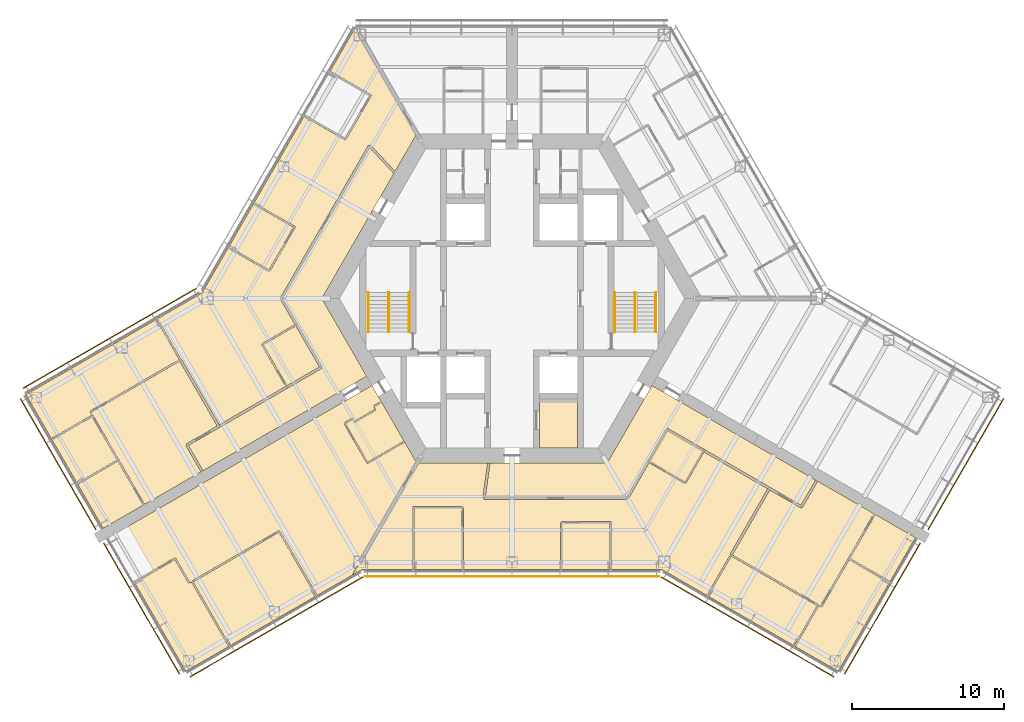
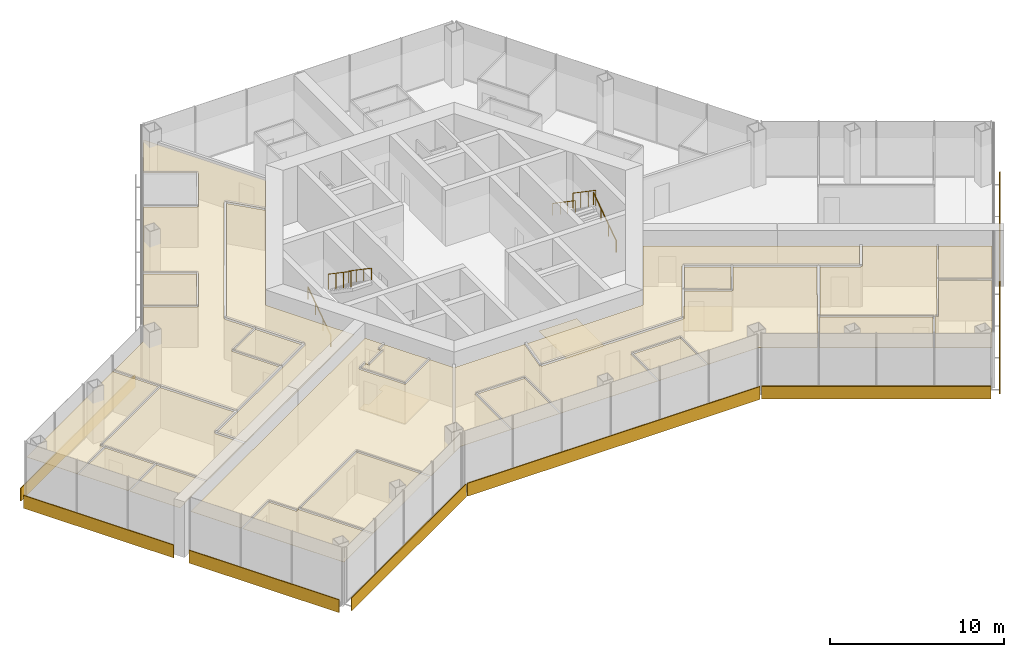
# One storey, part 18 of 19: 24 coverings, 8 shading devices, 6 railings.
"""IFC4 building model written with IfcOpenShell, lengths in metres."""

from ifc_helpers import new_model, si_unit, direction, frame, origin, origin_2d, place, context, subcontext, project, spatial, polyline, rectangle, circle, outline, extrude, material, layer, layer_set, type_object, element, save


model = new_model("IFC4")

# Units and contexts
model_context = context("Model", 3, precision=1e-05, world=origin(), true_north=direction((0.0, 1.0)))
body_context = subcontext(model_context, "Body", "Model", "MODEL_VIEW")
ifc_project = project(units=[si_unit("LENGTHUNIT", "METRE"), si_unit("AREAUNIT", "SQUARE_METRE"), si_unit("VOLUMEUNIT", "CUBIC_METRE"), si_unit("PLANEANGLEUNIT", "RADIAN"), si_unit("MASSUNIT", "GRAM", prefix="KILO")], contexts=[model_context])

# Site, building, storey
site_placement = place(None, origin())
site = spatial("IfcSite", under=ifc_project, at=site_placement, CompositionType="ELEMENT")
building_placement = place(site_placement, origin())
building = spatial("IfcBuilding", under=site, at=building_placement, Name="Kasaneha Research Tower", CompositionType="ELEMENT")
storey_placement = place(building_placement, frame((0.0, 0.0, 160.39990234375)))
storey = spatial("IfcBuildingStorey", under=building, at=storey_placement, Name="L40", CompositionType="ELEMENT", Elevation=160.39990234375)

# Railings
ifc_material_1 = material(Name="Steel", Category="steel")
railing_type_1 = type_object("IfcRailingType", Name="Stair balustrade 1100", PredefinedType="GUARDRAIL", material=ifc_material_1)
for number, where, name in (
    (1, (8.10009765625, 0.39990234375, 2.12744140625), "Stair 1 balustrade L40"),
    (2, (-8.10009765625, 0.39990234375, 2.12744140625), "Stair 2 balustrade L40"),
):
    element("IfcRailing", number, at=place(storey_placement, frame(where)), inside=storey, type_object=railing_type_1, Name=name, PredefinedType="GUARDRAIL", context=body_context, shape_type="SweptSolid", body=[
        extrude(circle(Radius=0.02392578125, at=origin_2d()), frame((0.0, 0.0, 1.076171875), z_axis=(0.0, -0.826215852431, 0.563353676824), x_axis=(1.0, 0.0, 0.0)), (0.0, 0.0, 1.0), 3.146728515625),
        extrude(circle(Radius=0.02099609375, at=origin_2d()), origin(), (0.0, 0.0, 1.0), 1.052001953125),
        extrude(circle(Radius=0.02099609375, at=origin_2d()), frame((0.0, -0.86669921875, 0.5908203125)), (0.0, 0.0, 1.0), 1.052001953125),
        extrude(circle(Radius=0.02099609375, at=origin_2d()), frame((0.0, -1.733154296875, 1.181884765625)), (0.0, 0.0, 1.0), 1.052001953125),
        extrude(circle(Radius=0.02099609375, at=origin_2d()), frame((0.0, -2.599853515625, 1.772705078125)), (0.0, 0.0, 1.0), 1.052001953125),
    ])
ifc_material_2 = material(Name="Steel", Category="steel")
railing_type_2 = type_object("IfcRailingType", Name="Stair handrail 850", PredefinedType="HANDRAIL", material=ifc_material_2)
railing_1_placement = place(storey_placement, frame((9.449951171875, -2.199951171875, 0.177490234375)))
element("IfcRailing", 3, at=railing_1_placement, inside=storey, type_object=railing_type_2, Name="Stair 1 handrail L40", PredefinedType="HANDRAIL", context=body_context, shape_type="SweptSolid", body=[
    extrude(circle(Radius=0.02392578125, at=origin_2d()), frame((0.0, 0.0, 0.826171875), z_axis=(0.0, 0.826215852431, 0.563353676824), x_axis=(-1.0, 0.0, 0.0)), (0.0, 0.0, 1.0), 3.146728515625),
    extrude(circle(Radius=0.02099609375, at=origin_2d()), origin(), (0.0, 0.0, 1.0), 0.802001953125),
    extrude(circle(Radius=0.02099609375, at=origin_2d()), frame((0.0, 0.86669921875, 0.5908203125)), (0.0, 0.0, 1.0), 0.802001953125),
    extrude(circle(Radius=0.02099609375, at=origin_2d()), frame((0.0, 1.733154296875, 1.181884765625)), (0.0, 0.0, 1.0), 0.802001953125),
    extrude(circle(Radius=0.02099609375, at=origin_2d()), frame((0.0, 2.599853515625, 1.772705078125)), (0.0, 0.0, 1.0), 0.802001953125),
])
railing_2_placement = place(storey_placement, frame((6.75, 0.39990234375, 2.12744140625)))
element("IfcRailing", 4, at=railing_2_placement, inside=storey, type_object=railing_type_2, Name="Stair 1 handrail L40", PredefinedType="HANDRAIL", context=body_context, shape_type="SweptSolid", body=[
    extrude(circle(Radius=0.02392578125, at=origin_2d()), frame((0.0, 0.0, 0.826171875), z_axis=(0.0, -0.826215852431, 0.563353676824), x_axis=(1.0, 0.0, 0.0)), (0.0, 0.0, 1.0), 3.146728515625),
    extrude(circle(Radius=0.02099609375, at=origin_2d()), origin(), (0.0, 0.0, 1.0), 0.802001953125),
    extrude(circle(Radius=0.02099609375, at=origin_2d()), frame((0.0, -0.86669921875, 0.5908203125)), (0.0, 0.0, 1.0), 0.802001953125),
    extrude(circle(Radius=0.02099609375, at=origin_2d()), frame((0.0, -1.733154296875, 1.181884765625)), (0.0, 0.0, 1.0), 0.802001953125),
    extrude(circle(Radius=0.02099609375, at=origin_2d()), frame((0.0, -2.599853515625, 1.772705078125)), (0.0, 0.0, 1.0), 0.802001953125),
])
railing_3_placement = place(storey_placement, frame((-9.449951171875, -2.199951171875, 0.177490234375)))
element("IfcRailing", 5, at=railing_3_placement, inside=storey, type_object=railing_type_2, Name="Stair 2 handrail L40", PredefinedType="HANDRAIL", context=body_context, shape_type="SweptSolid", body=[
    extrude(circle(Radius=0.02392578125, at=origin_2d()), frame((0.0, 0.0, 0.826171875), z_axis=(0.0, 0.826215852431, 0.563353676824), x_axis=(-1.0, 0.0, 0.0)), (0.0, 0.0, 1.0), 3.146728515625),
    extrude(circle(Radius=0.02099609375, at=origin_2d()), origin(), (0.0, 0.0, 1.0), 0.802001953125),
    extrude(circle(Radius=0.02099609375, at=origin_2d()), frame((0.0, 0.86669921875, 0.5908203125)), (0.0, 0.0, 1.0), 0.802001953125),
    extrude(circle(Radius=0.02099609375, at=origin_2d()), frame((0.0, 1.733154296875, 1.181884765625)), (0.0, 0.0, 1.0), 0.802001953125),
    extrude(circle(Radius=0.02099609375, at=origin_2d()), frame((0.0, 2.599853515625, 1.772705078125)), (0.0, 0.0, 1.0), 0.802001953125),
])
railing_4_placement = place(storey_placement, frame((-6.75, 0.39990234375, 2.12744140625)))
element("IfcRailing", 6, at=railing_4_placement, inside=storey, type_object=railing_type_2, Name="Stair 2 handrail L40", PredefinedType="HANDRAIL", context=body_context, shape_type="SweptSolid", body=[
    extrude(circle(Radius=0.02392578125, at=origin_2d()), frame((0.0, 0.0, 0.826171875), z_axis=(0.0, -0.826215852431, 0.563353676824), x_axis=(1.0, 0.0, 0.0)), (0.0, 0.0, 1.0), 3.146728515625),
    extrude(circle(Radius=0.02099609375, at=origin_2d()), origin(), (0.0, 0.0, 1.0), 0.802001953125),
    extrude(circle(Radius=0.02099609375, at=origin_2d()), frame((0.0, -0.86669921875, 0.5908203125)), (0.0, 0.0, 1.0), 0.802001953125),
    extrude(circle(Radius=0.02099609375, at=origin_2d()), frame((0.0, -1.733154296875, 1.181884765625)), (0.0, 0.0, 1.0), 0.802001953125),
    extrude(circle(Radius=0.02099609375, at=origin_2d()), frame((0.0, -2.599853515625, 1.772705078125)), (0.0, 0.0, 1.0), 0.802001953125),
])

# Coverings
ifc_material_3 = material(Name="Gypsum ceiling board", Category="gypsum")
ifc_layer_1 = layer(ifc_material_3, 0.02001953125)
ifc_layer_set_1 = layer_set([ifc_layer_1], Name="Suspended ceiling 20")
covering_type_1 = type_object("IfcCoveringType", Name="Suspended ceiling 20", PredefinedType="CEILING", material=ifc_layer_set_1)
covering_1_placement = place(storey_placement, frame((0.0, 0.0, 2.800048828125)))
element("IfcCovering", 7, at=covering_1_placement, inside=storey, type_object=covering_type_1, Name="Ceiling L40-36", PredefinedType="CEILING", context=body_context, shape_type="SweptSolid", body=[
    extrude(outline(polyline([(-9.5498046875, -5.109375), (-10.3291015625, -5.559326171875), (-10.3291015625, -5.559326171875), (-20.37109375, -11.357177734375), (-20.381103515625, -11.33984375), (-20.316162109375, -11.30224609375), (-21.268798828125, -9.652587890625), (-19.234130859375, -8.477783203125), (-19.23388671875, -8.477783203125), (-14.751953125, -5.89013671875), (-14.751953125, -5.89013671875), (-12.504150390625, -4.59228515625), (-12.54150390625, -4.52734375), (-12.4765625, -4.48974609375), (-14.099365234375, -1.67919921875), (-14.099365234375, -1.67919921875), (-15.06884765625, 0.0), (-9.345947265625, 9.912353515625), (-7.7890625, 8.24267578125), (-7.734130859375, 8.2939453125), (-7.719970703125, 8.278564453125), (-12.49951171875, 0.0), (-9.5498046875, -5.109375)])), origin(), (0.0, 0.0, 1.0), 0.02001953125),
])
covering_2_placement = place(storey_placement, frame((0.0, 0.0, 2.800048828125)))
element("IfcCovering", 8, at=covering_2_placement, inside=storey, type_object=covering_type_1, Name="Ceiling L40-37", PredefinedType="CEILING", context=body_context, shape_type="SweptSolid", body=[
    extrude(outline(polyline([(-23.332275390625, -1.36962890625), (-23.37548828125, -1.39453125), (-21.86669921875, -4.01708984375), (-27.730224609375, -7.40869140625), (-27.705322265625, -7.4521484375), (-27.705322265625, -7.4521484375), (-27.564453125, -7.69677734375), (-27.564453125, -7.69677734375), (-27.592041015625, -7.649169921875), (-30.257568359375, -9.193603515625), (-30.232421875, -9.23681640625), (-30.25, -9.2470703125), (-31.94189453125, -6.31689453125), (-29.075439453125, -4.661865234375), (-28.665771484375, -5.370849609375), (-29.074951171875, -4.662109375), (-23.34228515625, -1.352294921875), (-23.332275390625, -1.36962890625)])), origin(), (0.0, 0.0, 1.0), 0.02001953125),
])
covering_3_placement = place(storey_placement, frame((0.0, 0.0, 2.800048828125)))
element("IfcCovering", 9, at=covering_3_placement, inside=storey, type_object=covering_type_1, Name="Ceiling L40-38", PredefinedType="CEILING", context=body_context, shape_type="SweptSolid", body=[
    extrude(outline(polyline([(-30.249755859375, -9.2470703125), (-30.232421875, -9.237060546875), (-30.207275390625, -9.2802734375), (-27.589111328125, -7.76318359375), (-25.94775390625, -10.606689453125), (-28.5830078125, -12.1337890625), (-30.249755859375, -9.2470703125)])), origin(), (0.0, 0.0, 1.0), 0.02001953125),
])
covering_4_placement = place(storey_placement, frame((0.0, 0.0, 2.800048828125)))
element("IfcCovering", 10, at=covering_4_placement, inside=storey, type_object=covering_type_1, Name="Ceiling L40-39", PredefinedType="CEILING", context=body_context, shape_type="SweptSolid", body=[
    extrude(outline(polyline([(-28.532958984375, -12.220458984375), (-25.897705078125, -10.693359375), (-24.23486328125, -13.56494140625), (-24.191650390625, -13.539794921875), (-24.181640625, -13.55712890625), (-26.866455078125, -15.107177734375), (-28.532958984375, -12.220458984375)])), origin(), (0.0, 0.0, 1.0), 0.02001953125),
])
covering_5_placement = place(storey_placement, frame((0.0, 0.0, 2.800048828125)))
element("IfcCovering", 11, at=covering_5_placement, inside=storey, type_object=covering_type_1, Name="Ceiling L40-40", PredefinedType="CEILING", context=body_context, shape_type="SweptSolid", body=[
    extrude(outline(polyline([(-16.99658203125, 6.201904296875), (-14.355224609375, 4.677001953125), (-15.970703125, 1.87890625), (-18.5947265625, 3.393798828125), (-18.619873046875, 3.3505859375), (-18.63720703125, 3.360595703125), (-16.99658203125, 6.201904296875)])), origin(), (0.0, 0.0, 1.0), 0.02001953125),
])
covering_6_placement = place(storey_placement, frame((0.0, 0.0, 2.800048828125)))
element("IfcCovering", 12, at=covering_6_placement, inside=storey, type_object=covering_type_1, Name="Ceiling L40-42", PredefinedType="CEILING", context=body_context, shape_type="SweptSolid", body=[
    extrude(outline(polyline([(-16.349853515625, -3.03125), (-14.204345703125, -1.79736328125), (-12.64404296875, -4.499755859375), (-14.78369140625, -5.735107421875), (-16.349853515625, -3.03125)])), origin(), (0.0, 0.0, 1.0), 0.02001953125),
])
covering_7_placement = place(storey_placement, frame((0.0, 0.0, 2.800048828125)))
element("IfcCovering", 13, at=covering_7_placement, inside=storey, type_object=covering_type_1, Name="Ceiling L40-43", PredefinedType="CEILING", context=body_context, shape_type="SweptSolid", body=[
    extrude(outline(polyline([(-9.360595703125, 10.037841796875), (-9.360595703125, 10.037841796875), (-9.425048828125, 10.0751953125), (-15.220458984375, 0.03759765625), (-15.15576171875, 0.000244140625), (-15.156005859375, 0.000244140625), (-15.15576171875, -0.000244140625), (-15.220458984375, -0.03759765625), (-14.25439453125, -1.710693359375), (-16.443115234375, -2.969482421875), (-16.41845703125, -3.012451171875), (-16.418701171875, -3.0126953125), (-16.418701171875, -3.012939453125), (-16.46142578125, -3.037841796875), (-14.870361328125, -5.78515625), (-19.2353515625, -8.305419921875), (-21.729248046875, -3.995361328125), (-21.75537109375, -4.01025390625), (-23.288818359375, -1.3447265625), (-23.331787109375, -1.369384765625), (-23.341796875, -1.35205078125), (-20.365966796875, 0.365966796875), (-18.637451171875, 3.360107421875), (-18.6201171875, 3.35009765625), (-18.644775390625, 3.30712890625), (-15.9775390625, 1.76708984375), (-15.952392578125, 1.810546875), (-15.9521484375, 1.810302734375), (-15.9521484375, 1.810302734375), (-15.9091796875, 1.785400390625), (-14.24365234375, 4.670166015625), (-14.28662109375, 4.695068359375), (-14.28662109375, 4.6953125), (-14.286865234375, 4.695556640625), (-14.261962890625, 4.738525390625), (-16.94677734375, 6.28857421875), (-13.64111328125, 12.01416015625), (-13.62353515625, 12.004150390625), (-13.6484375, 11.961181640625), (-10.981201171875, 10.421142578125), (-10.9560546875, 10.464599609375), (-10.912841796875, 10.439453125), (-9.247314453125, 13.32421875), (-9.290283203125, 13.34912109375), (-9.2900390625, 13.349365234375), (-9.29052734375, 13.349609375), (-9.265625, 13.392578125), (-11.9501953125, 14.9423828125), (-10.28857421875, 17.820556640625), (-6.249755859375, 10.824951171875), (-7.6806640625, 8.346435546875), (-9.305419921875, 10.0888671875), (-9.360107421875, 10.03759765625), (-9.3603515625, 10.03759765625), (-9.360595703125, 10.037841796875)])), origin(), (0.0, 0.0, 1.0), 0.02001953125),
])
covering_8_placement = place(storey_placement, frame((0.0, 0.0, 2.800048828125)))
element("IfcCovering", 14, at=covering_8_placement, inside=storey, type_object=covering_type_1, Name="Ceiling L40-44", PredefinedType="CEILING", context=body_context, shape_type="SweptSolid", body=[
    extrude(outline(polyline([(-23.14501953125, -12.958740234375), (-24.18115234375, -13.556884765625), (-24.191162109375, -13.53955078125), (-24.1484375, -13.5146484375), (-25.833740234375, -10.604248046875), (-27.525146484375, -7.674072265625), (-27.564208984375, -7.696533203125), (-27.705322265625, -7.4521484375), (-27.705322265625, -7.4521484375), (-27.68017578125, -7.495361328125), (-21.833984375, -4.11376953125), (-19.365234375, -8.38037109375), (-21.40869140625, -9.56005859375), (-21.37109375, -9.625), (-21.43603515625, -9.66259765625), (-20.446044921875, -11.377197265625), (-20.381591796875, -11.340087890625), (-20.37158203125, -11.357421875), (-23.14501953125, -12.958740234375)])), origin(), (0.0, 0.0, 1.0), 0.02001953125),
])
covering_9_placement = place(storey_placement, frame((0.0, 0.0, 2.800048828125)))
element("IfcCovering", 15, at=covering_9_placement, inside=storey, type_object=covering_type_1, Name="Ceiling L40-45", PredefinedType="CEILING", context=body_context, shape_type="SweptSolid", body=[
    extrude(outline(polyline([(-10.35498046875, -8.11474609375), (-10.35498046875, -8.11474609375), (-10.330078125, -8.157958984375), (-8.9443359375, -7.35791015625), (-8.994384765625, -7.271240234375), (-8.994384765625, -7.271240234375), (-9.09423828125, -7.09814453125), (-9.09423828125, -7.09814453125), (-9.0693359375, -7.141357421875), (-8.56689453125, -6.851318359375), (-8.592041015625, -6.80810546875), (-8.57470703125, -6.798095703125), (-7.07470703125, -9.396240234375), (-7.092041015625, -9.40625), (-7.116943359375, -9.36279296875), (-9.481201171875, -10.727783203125), (-10.931396484375, -8.21630859375), (-10.455078125, -7.94140625), (-10.35498046875, -8.11474609375)])), origin(), (0.0, 0.0, 1.0), 0.02001953125),
])
covering_10_placement = place(storey_placement, frame((0.0, 0.0, 2.800048828125)))
element("IfcCovering", 16, at=covering_10_placement, inside=storey, type_object=covering_type_1, Name="Ceiling L40-46", PredefinedType="CEILING", context=body_context, shape_type="SweptSolid", body=[
    extrude(outline(polyline([(-18.574951171875, -22.8486328125), (-18.5849609375, -22.831298828125), (-18.541748046875, -22.806396484375), (-20.949951171875, -18.6240234375), (-15.310546875, -15.363525390625), (-12.885498046875, -19.563720703125), (-18.574951171875, -22.8486328125)])), origin(), (0.0, 0.0, 1.0), 0.02001953125),
])
covering_11_placement = place(storey_placement, frame((0.0, 0.0, 2.800048828125)))
element("IfcCovering", 17, at=covering_11_placement, inside=storey, type_object=covering_type_1, Name="Ceiling L40-47", PredefinedType="CEILING", context=body_context, shape_type="SweptSolid", body=[
    extrude(outline(polyline([(-21.206298828125, -18.708740234375), (-21.025390625, -18.604736328125), (-21.025146484375, -18.60498046875), (-21.0634765625, -18.627197265625), (-18.62841796875, -22.856201171875), (-18.585205078125, -22.831298828125), (-18.574951171875, -22.84912109375), (-21.44140625, -24.50390625), (-23.13330078125, -21.57373046875), (-20.850341796875, -20.255615234375), (-23.133056640625, -21.573486328125), (-24.7998046875, -18.686767578125), (-22.158203125, -17.16162109375), (-21.24951171875, -18.733642578125), (-21.206298828125, -18.70849609375), (-21.206298828125, -18.708740234375)])), origin(), (0.0, 0.0, 1.0), 0.02001953125),
])
covering_12_placement = place(storey_placement, frame((0.0, 0.0, 2.800048828125)))
element("IfcCovering", 18, at=covering_12_placement, inside=storey, type_object=covering_type_1, Name="Ceiling L40-48", PredefinedType="CEILING", context=body_context, shape_type="SweptSolid", body=[
    extrude(outline(polyline([(-9.19970703125, -5.715576171875), (-8.574951171875, -6.797607421875), (-8.59228515625, -6.8076171875), (-8.616943359375, -6.764892578125), (-9.119384765625, -7.0546875), (-9.094482421875, -7.09765625), (-9.0947265625, -7.097900390625), (-8.99462890625, -7.271484375), (-10.379638671875, -8.071044921875), (-10.47998046875, -7.897705078125), (-10.480224609375, -7.897705078125), (-10.5048828125, -7.854736328125), (-11.024658203125, -8.15478515625), (-10.999755859375, -8.19775390625), (-11.0, -8.197998046875), (-11.0, -8.1982421875), (-11.04296875, -8.22314453125), (-9.54296875, -10.8212890625), (-9.5, -10.79638671875), (-9.5, -10.796630859375), (-9.49951171875, -10.79638671875), (-9.474609375, -10.839599609375), (-7.06689453125, -9.449462890625), (-7.091796875, -9.40673828125), (-7.074462890625, -9.396728515625), (-6.249755859375, -10.824951171875), (-10.5, -18.1865234375), (-12.798828125, -19.513916015625), (-15.248779296875, -15.270263671875), (-15.2919921875, -15.295166015625), (-15.292236328125, -15.294677734375), (-15.29248046875, -15.294921875), (-15.317138671875, -15.251953125), (-21.048095703125, -18.5654296875), (-21.025390625, -18.604248046875), (-21.206298828125, -18.708740234375), (-21.206298828125, -18.70849609375), (-21.1630859375, -18.68359375), (-22.0966796875, -17.068359375), (-22.139892578125, -17.09326171875), (-22.139892578125, -17.093017578125), (-22.14013671875, -17.093017578125), (-22.1650390625, -17.050048828125), (-24.849609375, -18.60009765625), (-26.516357421875, -15.71337890625), (-10.84521484375, -6.66552734375), (-10.84521484375, -6.66552734375), (-9.979248046875, -6.16552734375), (-9.979248046875, -6.16552734375), (-9.19970703125, -5.715576171875)])), origin(), (0.0, 0.0, 1.0), 0.02001953125),
])
covering_13_placement = place(storey_placement, frame((0.0, 0.0, 2.800048828125)))
element("IfcCovering", 19, at=covering_13_placement, inside=storey, type_object=covering_type_1, Name="Ceiling L40-51", PredefinedType="CEILING", context=body_context, shape_type="SweptSolid", body=[
    extrude(outline(polyline([(10.191650390625, -8.59765625), (10.126708984375, -8.560302734375), (8.90380859375, -10.677978515625), (8.90380859375, -10.677978515625), (7.534423828125, -13.050048828125), (-1.75830078125, -13.050048828125), (-1.449951171875, -10.85546875), (-1.524169921875, -10.844970703125), (-1.521240234375, -10.824951171875), (6.249755859375, -10.824951171875), (9.19970703125, -5.715576171875), (9.979248046875, -6.16552734375), (9.979248046875, -6.16552734375), (10.84521484375, -6.66552734375), (10.84521484375, -6.66552734375), (20.021240234375, -11.96337890625), (20.01123046875, -11.980712890625), (19.9462890625, -11.943115234375), (18.99365234375, -13.593017578125), (16.950439453125, -12.413330078125), (16.950439453125, -12.413330078125), (12.650146484375, -9.930419921875), (12.650146484375, -9.930419921875), (10.22900390625, -8.53271484375), (10.191650390625, -8.59765625), (10.191650390625, -8.59765625), (10.191650390625, -8.59765625)])), origin(), (0.0, 0.0, 1.0), 0.02001953125),
])
covering_14_placement = place(storey_placement, frame((0.0, 0.0, 2.800048828125)))
element("IfcCovering", 20, at=covering_14_placement, inside=storey, type_object=covering_type_1, Name="Ceiling L40-52", PredefinedType="CEILING", context=body_context, shape_type="SweptSolid", body=[
    extrude(outline(polyline([(10.218994140625, -8.7001953125), (12.531982421875, -10.035400390625), (11.373046875, -12.051025390625), (9.058837890625, -10.7099609375), (10.218994140625, -8.7001953125)])), origin(), (0.0, 0.0, 1.0), 0.02001953125),
])
covering_15_placement = place(storey_placement, frame((0.0, 0.0, 2.800048828125)))
element("IfcCovering", 21, at=covering_15_placement, inside=storey, type_object=covering_type_1, Name="Ceiling L40-53", PredefinedType="CEILING", context=body_context, shape_type="SweptSolid", body=[
    extrude(outline(polyline([(12.885498046875, -19.563720703125), (14.412353515625, -16.9287109375), (20.050048828125, -20.18310546875), (18.541748046875, -22.806396484375), (18.5849609375, -22.831298828125), (18.574951171875, -22.8486328125), (12.885498046875, -19.563720703125)])), origin(), (0.0, 0.0, 1.0), 0.02001953125),
])
covering_16_placement = place(storey_placement, frame((0.0, 0.0, 2.800048828125)))
element("IfcCovering", 22, at=covering_16_placement, inside=storey, type_object=covering_type_1, Name="Ceiling L40-54", PredefinedType="CEILING", context=body_context, shape_type="SweptSolid", body=[
    extrude(outline(polyline([(20.850341796875, -20.255615234375), (23.13330078125, -21.57373046875), (21.441650390625, -24.50390625), (18.574951171875, -22.84912109375), (18.585205078125, -22.831298828125), (18.62841796875, -22.856201171875), (20.16357421875, -20.18603515625), (20.125, -20.1640625), (20.125244140625, -20.16357421875), (20.3017578125, -20.264892578125), (20.349609375, -20.29248046875), (22.159423828125, -17.16796875), (24.7998046875, -18.686767578125), (23.133056640625, -21.573486328125), (20.850341796875, -20.255615234375)])), origin(), (0.0, 0.0, 1.0), 0.02001953125),
])
covering_17_placement = place(storey_placement, frame((0.0, 0.0, 2.800048828125)))
element("IfcCovering", 23, at=covering_17_placement, inside=storey, type_object=covering_type_1, Name="Ceiling L40-55", PredefinedType="CEILING", context=body_context, shape_type="SweptSolid", body=[
    extrude(outline(polyline([(24.849609375, -18.60009765625), (22.20947265625, -17.08154296875), (23.864990234375, -14.20556640625), (23.82177734375, -14.1806640625), (23.83154296875, -14.163330078125), (26.516357421875, -15.71337890625), (24.849609375, -18.60009765625)])), origin(), (0.0, 0.0, 1.0), 0.02001953125),
])
covering_18_placement = place(storey_placement, frame((0.0, 0.0, 2.800048828125)))
element("IfcCovering", 24, at=covering_18_placement, inside=storey, type_object=covering_type_1, Name="Ceiling L40-56", PredefinedType="CEILING", context=body_context, shape_type="SweptSolid", body=[
    extrude(outline(polyline([(-6.492919921875, -17.820556640625), (-6.492919921875, -17.800537109375), (-6.44287109375, -17.800537109375), (-6.44287109375, -13.7705078125), (-3.29638671875, -13.7705078125), (-3.29638671875, -17.800537109375), (-3.246337890625, -17.800537109375), (-3.246337890625, -17.820556640625), (-6.492919921875, -17.820556640625)])), origin(), (0.0, 0.0, 1.0), 0.02001953125),
])
covering_19_placement = place(storey_placement, frame((0.0, 0.0, 2.800048828125)))
element("IfcCovering", 25, at=covering_19_placement, inside=storey, type_object=covering_type_1, Name="Ceiling L40-57", PredefinedType="CEILING", context=body_context, shape_type="SweptSolid", body=[
    extrude(outline(polyline([(3.246337890625, -17.820556640625), (3.246337890625, -17.800537109375), (3.29638671875, -17.800537109375), (3.29638671875, -14.7705078125), (6.44287109375, -14.7705078125), (6.44287109375, -17.800537109375), (6.492919921875, -17.800537109375), (6.492919921875, -17.820556640625), (3.246337890625, -17.820556640625)])), origin(), (0.0, 0.0, 1.0), 0.02001953125),
])
covering_20_placement = place(storey_placement, frame((0.0, 0.0, 2.800048828125)))
element("IfcCovering", 26, at=covering_20_placement, inside=storey, type_object=covering_type_1, Name="Ceiling L40-58", PredefinedType="CEILING", context=body_context, shape_type="SweptSolid", body=[
    extrude(outline(polyline([(6.492919921875, -14.719970703125), (6.492919921875, -14.67041015625), (3.246337890625, -14.67041015625), (3.246337890625, -14.72021484375), (3.24609375, -14.72021484375), (3.24609375, -14.720458984375), (3.1962890625, -14.720458984375), (3.1962890625, -17.800537109375), (3.245849609375, -17.800537109375), (3.245849609375, -17.820556640625), (-3.245849609375, -17.820556640625), (-3.245849609375, -17.800537109375), (-3.1962890625, -17.800537109375), (-3.1962890625, -13.720458984375), (-3.24609375, -13.720458984375), (-3.24609375, -13.72021484375), (-3.246337890625, -13.72021484375), (-3.246337890625, -13.67041015625), (-6.492919921875, -13.67041015625), (-6.492919921875, -13.719970703125), (-6.492919921875, -13.719970703125), (-6.492919921875, -13.720458984375), (-6.542724609375, -13.720458984375), (-6.542724609375, -17.800537109375), (-6.493408203125, -17.800537109375), (-6.493408203125, -17.820556640625), (-9.865966796875, -17.820556640625), (-10.5, -18.1865234375), (-6.249755859375, -10.824951171875), (-1.52197265625, -10.824951171875), (-1.524658203125, -10.844970703125), (-1.598388671875, -10.83447265625), (-1.9189453125, -13.114501953125), (-1.8447265625, -13.125), (-1.8447265625, -13.12548828125), (-1.844482421875, -13.12548828125), (-1.844482421875, -13.199951171875), (7.57763671875, -13.199951171875), (7.57763671875, -13.12548828125), (7.577880859375, -13.12548828125), (7.577880859375, -13.125244140625), (7.642578125, -13.16259765625), (9.0087890625, -10.79638671875), (11.366455078125, -12.16259765625), (11.391357421875, -12.119873046875), (11.3916015625, -12.119873046875), (11.391845703125, -12.11962890625), (11.434814453125, -12.144287109375), (12.618408203125, -10.08544921875), (16.810546875, -12.505615234375), (14.32470703125, -16.820556640625), (14.350830078125, -16.83544921875), (12.798828125, -19.513916015625), (9.865966796875, -17.820556640625), (6.493408203125, -17.820556640625), (6.493408203125, -17.800537109375), (6.542724609375, -17.800537109375), (6.542724609375, -14.720458984375), (6.492919921875, -14.720458984375), (6.492919921875, -14.719970703125), (6.492919921875, -14.719970703125)])), origin(), (0.0, 0.0, 1.0), 0.02001953125),
])
covering_21_placement = place(storey_placement, frame((0.0, 0.0, 2.800048828125)))
element("IfcCovering", 27, at=covering_21_placement, inside=storey, type_object=covering_type_1, Name="Ceiling L40-59", PredefinedType="CEILING", context=body_context, shape_type="SweptSolid", body=[
    extrude(outline(polyline([(23.831298828125, -14.1630859375), (23.8212890625, -14.180419921875), (23.7783203125, -14.15576171875), (22.100341796875, -17.070556640625), (20.262939453125, -20.242431640625), (20.295166015625, -20.260986328125), (20.12548828125, -20.1630859375), (20.14794921875, -20.1240234375), (14.479736328125, -16.85205078125), (16.9404296875, -12.58056640625), (18.983642578125, -13.76025390625), (19.021240234375, -13.6953125), (19.086181640625, -13.73291015625), (20.076171875, -12.018310546875), (20.011474609375, -11.98095703125), (20.021484375, -11.963623046875), (23.831298828125, -14.1630859375)])), origin(), (0.0, 0.0, 1.0), 0.02001953125),
])

# Shading devices
ifc_material_4 = material(Name="Terracotta", Category="masonry")
ifc_layer_2 = layer(ifc_material_4, 0.06005859375)
ifc_layer_set_2 = layer_set([ifc_layer_2], Name="Terracotta baguette screen")
shading_device_type = type_object("IfcShadingDeviceType", Name="Terracotta baguette screen", PredefinedType="USERDEFINED", material=ifc_layer_set_2)
shading_device_1_placement = place(storey_placement, frame((0.0, -18.2705078125, -0.449951171875), z_axis=(0.0, 0.0, 1.0), x_axis=(1.0, 0.0, 0.0)))
element("IfcShadingDevice", 28, at=shading_device_1_placement, inside=storey, type_object=shading_device_type, Name="Baguette screen L40 01", ObjectType="TERRACOTTA BAGUETTE SCREEN", PredefinedType="USERDEFINED", context=body_context, shape_type="SweptSolid", body=[
    extrude(rectangle(XDim=19.37841796875, YDim=0.06005859375, at=origin_2d()), origin(), (0.0, 0.0, 1.0), 0.89990234375),
])
shading_device_2_placement = place(storey_placement, frame((15.483642578125, -21.58349609375, -0.449951171875), z_axis=(0.0, 0.0, 1.0), x_axis=(0.866025411464, -0.499999986699, 0.0)))
element("IfcShadingDevice", 29, at=shading_device_2_placement, inside=storey, type_object=shading_device_type, Name="Baguette screen L40 02", ObjectType="TERRACOTTA BAGUETTE SCREEN", PredefinedType="USERDEFINED", context=body_context, shape_type="SweptSolid", body=[
    extrude(rectangle(XDim=13.13916015625, YDim=0.06005859375, at=origin_2d()), origin(), (0.0, 0.0, 1.0), 0.89990234375),
])
for number, where, z_axis, x_axis, name in (
    (30, (24.343505859375, -20.376708984375, -0.449951171875), (0.0, 0.0, 1.0), (0.500000011442, 0.866025397178, 0.0), "Baguette screen L40 03"),
    (31, (29.818603515625, -10.893798828125, -0.449951171875), (0.0, 0.0, 1.0), (0.500000011442, 0.866025397178, 0.0), "Baguette screen L40 04"),
):
    element("IfcShadingDevice", number, at=place(storey_placement, frame(where, z_axis=z_axis, x_axis=x_axis)), inside=storey, type_object=shading_device_type, Name=name, ObjectType="TERRACOTTA BAGUETTE SCREEN", PredefinedType="USERDEFINED", context=body_context, shape_type="SweptSolid", body=[
        extrude(rectangle(XDim=9.949951171875, YDim=0.06005859375, at=origin_2d()), origin(), (0.0, 0.0, 1.0), 0.89990234375),
    ])
shading_device_3_placement = place(storey_placement, frame((-26.43359375, -2.617431640625, -0.449951171875), z_axis=(0.0, 0.0, 1.0), x_axis=(-0.866025411464, -0.499999986699, 0.0)))
element("IfcShadingDevice", 32, at=shading_device_3_placement, inside=storey, type_object=shading_device_type, Name="Baguette screen L40 09", ObjectType="TERRACOTTA BAGUETTE SCREEN", PredefinedType="USERDEFINED", context=body_context, shape_type="SweptSolid", body=[
    extrude(rectangle(XDim=13.13916015625, YDim=0.06005859375, at=origin_2d()), origin(), (0.0, 0.0, 1.0), 0.89990234375),
])
for number, where, z_axis, x_axis, name in (
    (33, (-29.818603515625, -10.893798828125, -0.449951171875), (0.0, 0.0, 1.0), (0.500000011442, -0.866025397178, 0.0), "Baguette screen L40 10"),
    (34, (-24.343505859375, -20.376708984375, -0.449951171875), (0.0, 0.0, 1.0), (0.500000011442, -0.866025397178, 0.0), "Baguette screen L40 11"),
):
    element("IfcShadingDevice", number, at=place(storey_placement, frame(where, z_axis=z_axis, x_axis=x_axis)), inside=storey, type_object=shading_device_type, Name=name, ObjectType="TERRACOTTA BAGUETTE SCREEN", PredefinedType="USERDEFINED", context=body_context, shape_type="SweptSolid", body=[
        extrude(rectangle(XDim=9.949951171875, YDim=0.06005859375, at=origin_2d()), origin(), (0.0, 0.0, 1.0), 0.89990234375),
    ])
shading_device_4_placement = place(storey_placement, frame((-15.483642578125, -21.58349609375, -0.449951171875), z_axis=(0.0, 0.0, 1.0), x_axis=(0.866025411464, 0.499999986699, 0.0)))
element("IfcShadingDevice", 35, at=shading_device_4_placement, inside=storey, type_object=shading_device_type, Name="Baguette screen L40 12", ObjectType="TERRACOTTA BAGUETTE SCREEN", PredefinedType="USERDEFINED", context=body_context, shape_type="SweptSolid", body=[
    extrude(rectangle(XDim=13.13916015625, YDim=0.06005859375, at=origin_2d()), origin(), (0.0, 0.0, 1.0), 0.89990234375),
])

# Coverings
ifc_material_5 = material(Name="Vinyl sheet flooring", Category="plastic")
ifc_layer_3 = layer(ifc_material_5, 0.0048828125)
ifc_layer_set_3 = layer_set([ifc_layer_3], Name="Wet room sheet flooring 5")
covering_type_2 = type_object("IfcCoveringType", Name="Wet room sheet flooring 5", PredefinedType="FLOORING", material=ifc_layer_set_3)
covering_22_placement = place(storey_placement, origin())
element("IfcCovering", 36, at=covering_22_placement, inside=storey, type_object=covering_type_2, Name="Floor finish L40-13", PredefinedType="FLOORING", context=body_context, shape_type="SweptSolid", body=[
    extrude(outline(polyline([(1.800048828125, -9.824951171875), (1.800048828125, -6.60009765625), (4.300048828125, -6.60009765625), (4.300048828125, -9.824951171875), (1.800048828125, -9.824951171875)])), origin(), (0.0, 0.0, 1.0), 0.005126953125),
])
covering_23_placement = place(storey_placement, origin())
element("IfcCovering", 37, at=covering_23_placement, inside=storey, type_object=covering_type_2, Name="Floor finish L40-45", PredefinedType="FLOORING", context=body_context, shape_type="SweptSolid", body=[
    extrude(outline(polyline([(-10.99951171875, -8.1982421875), (-10.47998046875, -7.898193359375), (-10.35498046875, -8.11474609375), (-8.96923828125, -7.314697265625), (-9.09423828125, -7.09814453125), (-8.57470703125, -6.798095703125), (-7.07470703125, -9.396240234375), (-9.49951171875, -10.796142578125), (-10.99951171875, -8.1982421875)])), origin(), (0.0, 0.0, 1.0), 0.005126953125),
])
covering_24_placement = place(storey_placement, origin())
element("IfcCovering", 38, at=covering_24_placement, inside=storey, type_object=covering_type_2, Name="Floor finish L40-52", PredefinedType="FLOORING", context=body_context, shape_type="SweptSolid", body=[
    extrude(outline(polyline([(11.391357421875, -12.119384765625), (8.966552734375, -10.719482421875), (10.191650390625, -8.59765625), (12.616455078125, -9.99755859375), (11.391357421875, -12.119384765625)])), origin(), (0.0, 0.0, 1.0), 0.005126953125),
])

save(model, "model.ifc")
